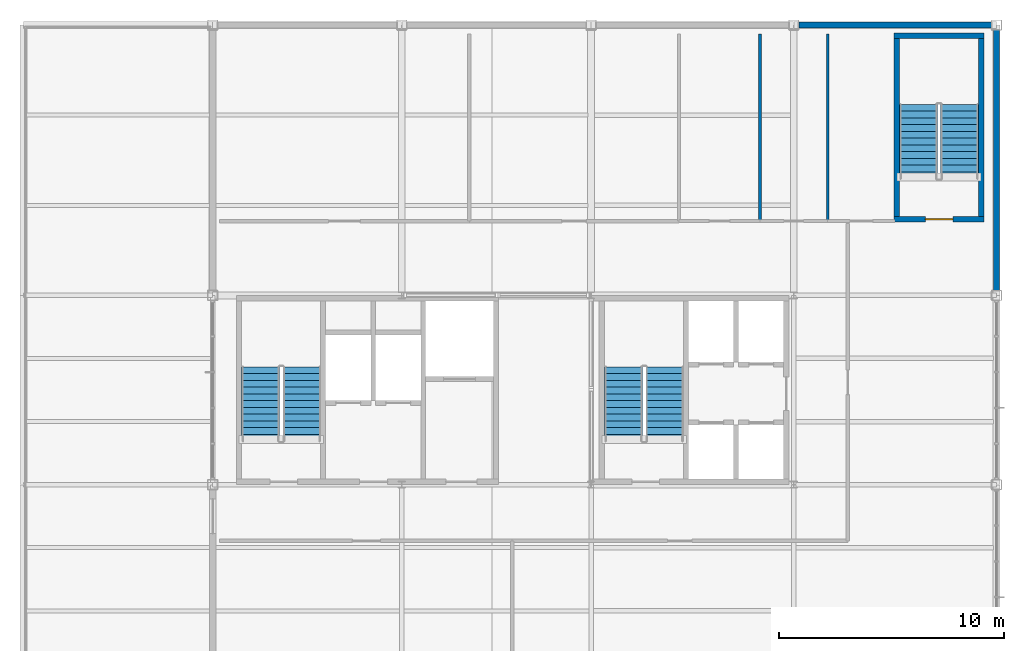
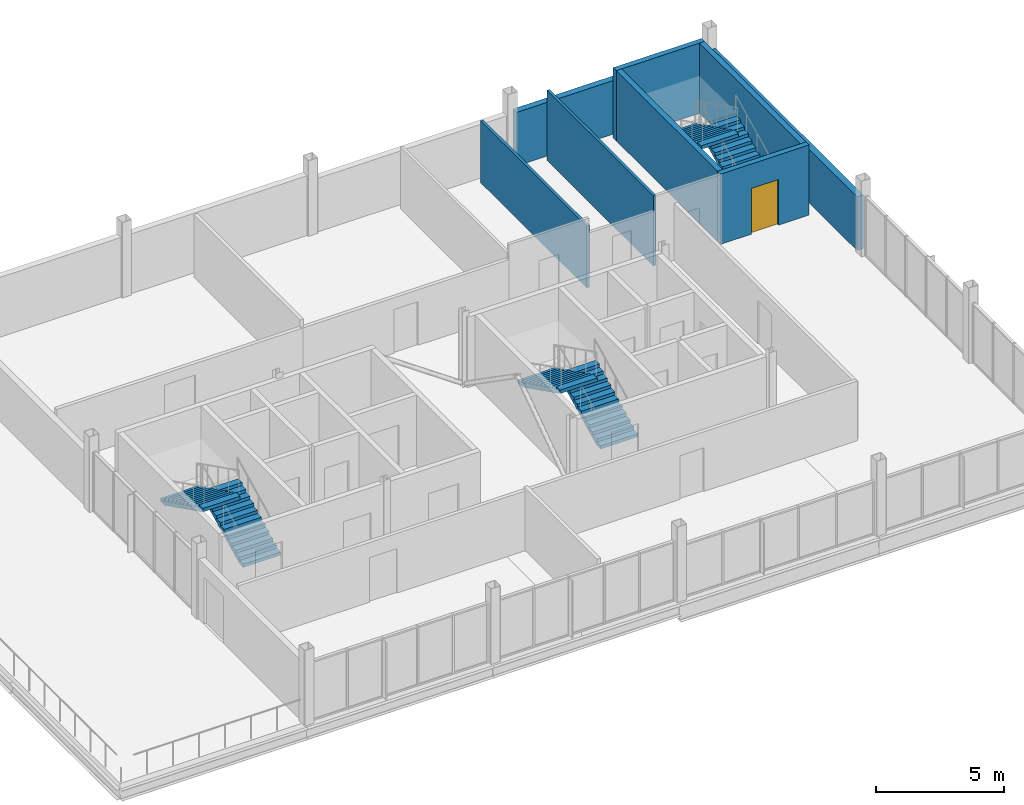
# One storey, part 12 of 14: 8 walls, 6 stair flights, 1 door, 1 opening, 3 elements without a shape of their own.
"""IFC4 building model written with IfcOpenShell, lengths in metres."""

from ifc_helpers import new_model, si_unit, direction, frame, frame_2d, origin, place, context, subcontext, project, spatial, polyline, rectangle, outline, extrude, material, layer, layer_set, type_object, element, fill, aggregate, save


model = new_model("IFC4")

# Units and contexts
model_context = context("Model", 3, precision=1e-05, world=origin(), true_north=direction((0.0, 1.0)))
body_context = subcontext(model_context, "Body", "Model", "MODEL_VIEW")
ifc_project = project(units=[si_unit("LENGTHUNIT", "METRE"), si_unit("AREAUNIT", "SQUARE_METRE"), si_unit("VOLUMEUNIT", "CUBIC_METRE"), si_unit("PLANEANGLEUNIT", "RADIAN"), si_unit("MASSUNIT", "GRAM", prefix="KILO")], contexts=[model_context])

# Site, building, storey
site_placement = place(None, origin())
site = spatial("IfcSite", under=ifc_project, at=site_placement, CompositionType="ELEMENT")
building_placement = place(site_placement, origin())
building = spatial("IfcBuilding", under=site, at=building_placement, Name="Yukiwa Park Conservatory and Herbarium", CompositionType="ELEMENT")
storey_placement = place(building_placement, frame((0.0, 0.0, 50.39990234375)))
storey = spatial("IfcBuildingStorey", under=building, at=storey_placement, Name="L13", CompositionType="ELEMENT", Elevation=50.39990234375)

# Wall, opening, door
ifc_material_1 = material(Name="Concrete C50", Category="concrete")
ifc_layer_1 = layer(ifc_material_1, 0.239990234375)
ifc_layer_set_1 = layer_set([ifc_layer_1], Name="Concrete C50")
wall_type_1 = type_object("IfcWallType", Name="WL-CORE-RC240", PredefinedType="SHEAR", material=ifc_layer_set_1)
wall_1_placement = place(storey_placement, frame((163.449951171875, 106.580078125, 0.0), z_axis=(0.0, 0.0, 1.0), x_axis=(1.0, 0.0, 0.0)))
wall_1 = element("IfcWall", 1, at=wall_1_placement, inside=storey, type_object=wall_type_1, Name="L13 core shear wall 766", PredefinedType="SHEAR", context=body_context, shape_type="SweptSolid", body=[
    extrude(rectangle(XDim=3.989990234375, YDim=0.239990234375, at=frame_2d((1.9951171875, 0.0))), origin(), (0.0, 0.0, 1.0), 3.34619140625),
])
opening_placement = place(wall_1_placement, frame((1.39501953125, 0.0, 0.0)))
opening = element("IfcOpeningElement", 2, at=opening_placement, cuts=wall_1, Name="Opening SD-01", PredefinedType="OPENING", context=body_context, shape_type="SweptSolid", body=[
    extrude(rectangle(XDim=1.219970703125, YDim=2.179931640625, at=frame_2d((0.60986328125, 1.08984375))), frame((0.0, 0.1298828125, 0.0), z_axis=(0.0, -1.0, 0.0), x_axis=(1.0, 0.0, 0.0)), (0.0, 0.0, 1.0), 0.260009765625),
])
ifc_material_2 = material(Name="Steel Q235B", Category="steel")
door_type = type_object("IfcDoorType", Name="DR-STAIR-FD90-1200", OperationType="SINGLE_SWING_LEFT", PredefinedType="DOOR", material=ifc_material_2)
door_placement = place(opening_placement, origin())
door = element("IfcDoor", 3, at=door_placement, inside=storey, type_object=door_type, Name="L13 Stairwell ST-T3 fire door", OperationType="SINGLE_SWING_LEFT", OverallHeight=2.179931640625, OverallWidth=1.219970703125, PredefinedType="DOOR", context=body_context, shape_type="SweptSolid", body=[
    extrude(rectangle(XDim=1.219970703125, YDim=2.179931640625, at=frame_2d((0.60986328125, 1.08984375))), frame((0.0, 0.02490234375, 0.0), z_axis=(0.0, -1.0, 0.0), x_axis=(1.0, 0.0, 0.0)), (0.0, 0.0, 1.0), 0.050048828125),
])
fill(opening, door)

# Walls
wall_2_placement = place(storey_placement, frame((163.449951171875, 114.719970703125, 0.0), z_axis=(0.0, 0.0, 1.0), x_axis=(1.0, 0.0, 0.0)))
element("IfcWall", 4, at=wall_2_placement, inside=storey, type_object=wall_type_1, Name="L13 core shear wall 767", PredefinedType="SHEAR", context=body_context, shape_type="SweptSolid", body=[
    extrude(rectangle(XDim=3.989990234375, YDim=0.239990234375, at=frame_2d((1.9951171875, 0.0))), origin(), (0.0, 0.0, 1.0), 3.34619140625),
])
for number, where, z_axis, x_axis, name in (
    (5, (163.570068359375, 106.699951171875, 0.0), (0.0, 0.0, 1.0), (0.0, 1.0, 0.0), "L13 core shear wall 768"),
    (6, (167.320068359375, 106.699951171875, 0.0), (0.0, 0.0, 1.0), (0.0, 1.0, 0.0), "L13 core shear wall 769"),
):
    element("IfcWall", number, at=place(storey_placement, frame(where, z_axis=z_axis, x_axis=x_axis)), inside=storey, type_object=wall_type_1, Name=name, PredefinedType="SHEAR", context=body_context, shape_type="SweptSolid", body=[
        extrude(rectangle(XDim=7.900146484375, YDim=0.239990234375, at=frame_2d((3.9501953125, 0.0))), origin(), (0.0, 0.0, 1.0), 3.34619140625),
    ])
ifc_material_3 = material(Name="Pale Granite Cladding", Category="masonry")
ifc_layer_2 = layer(ifc_material_3, 0.280029296875)
ifc_layer_set_2 = layer_set([ifc_layer_2], Name="Pale Granite Cladding")
wall_type_2 = type_object("IfcWallType", Name="WL-EXT-GRAN-280", PredefinedType="SOLIDWALL", material=ifc_layer_set_2)
wall_3_placement = place(storey_placement, frame((168.0, 103.425048828125, 0.0), z_axis=(0.0, 0.0, 1.0), x_axis=(0.0, 1.0, 0.0)))
element("IfcWall", 7, at=wall_3_placement, inside=storey, type_object=wall_type_2, Name="L13 exterior envelope wall 381", PredefinedType="SOLIDWALL", context=body_context, shape_type="SweptSolid", body=[
    extrude(rectangle(XDim=11.550048828125, YDim=0.280029296875, at=frame_2d((5.77490234375, 0.0))), origin(), (0.0, 0.0, 1.0), 2.55419921875),
])
wall_4_placement = place(storey_placement, frame((167.77490234375, 115.199951171875, 0.0), z_axis=(0.0, 0.0, 1.0), x_axis=(-1.0, 0.0, 0.0)))
element("IfcWall", 8, at=wall_4_placement, inside=storey, type_object=wall_type_2, Name="L13 exterior envelope wall 382", PredefinedType="SOLIDWALL", context=body_context, shape_type="SweptSolid", body=[
    extrude(rectangle(XDim=8.5498046875, YDim=0.280029296875, at=frame_2d((4.27490234375, 0.0))), origin(), (0.0, 0.0, 1.0), 2.55419921875),
])
ifc_material_4 = material(Name="Gypsum Board Partition", Category="gypsum")
ifc_layer_3 = layer(ifc_material_4, 0.1201171875)
ifc_layer_set_3 = layer_set([ifc_layer_3], Name="Gypsum Board Partition")
wall_type_3 = type_object("IfcWallType", Name="WL-PART-WET-150", PredefinedType="PARTITIONING", material=ifc_layer_set_3)
wall_5_placement = place(storey_placement, frame((157.5, 106.5, 0.0), z_axis=(0.0, 0.0, 1.0), x_axis=(0.0, 1.0, 0.0)))
element("IfcWall", 9, at=wall_5_placement, inside=storey, type_object=wall_type_3, Name="L13 interior partition wall 774", PredefinedType="PARTITIONING", context=body_context, shape_type="SweptSolid", body=[
    extrude(rectangle(XDim=8.300048828125, YDim=0.1201171875, at=frame_2d((4.14990234375, 0.0))), origin(), (0.0, 0.0, 1.0), 2.9501953125),
])
wall_6_placement = place(storey_placement, frame((160.5, 106.5, 0.0), z_axis=(0.0, 0.0, 1.0), x_axis=(0.0, 1.0, 0.0)))
element("IfcWall", 10, at=wall_6_placement, inside=storey, type_object=wall_type_3, Name="L13 interior partition wall 775", PredefinedType="PARTITIONING", context=body_context, shape_type="SweptSolid", body=[
    extrude(rectangle(XDim=8.300048828125, YDim=0.1201171875, at=frame_2d((4.14990234375, 0.0))), origin(), (0.0, 0.0, 1.0), 3.34619140625),
])

# Stair, stair flights
ifc_material_5 = material(Name="Concrete C40", Category="concrete")
stair_type_1 = type_object("IfcStairType", Name="ST-DOGLEG-ST-T1", PredefinedType="HALF_TURN_STAIR", material=ifc_material_5)
stair_1_placement = place(storey_placement, origin())
stair_1 = element("IfcStair", 11, at=stair_1_placement, inside=storey, type_object=stair_type_1, Name="L13 Protected Smoke-Proof Stair ST-T1", PredefinedType="HALF_TURN_STAIR")
ifc_material_6 = material(Name="Concrete C40", Category="concrete")
stair_flight_type = type_object("IfcStairFlightType", Name="STF-RC-1680", PredefinedType="STRAIGHT", material=ifc_material_6)
stair_flight_1_placement = place(storey_placement, frame((137.159912109375, 96.72998046875, 0.0), z_axis=(0.0, 0.0, 1.0), x_axis=(0.0, 1.0, 0.0)))
stair_flight_1 = element("IfcStairFlight", 12, at=stair_flight_1_placement, type_object=stair_flight_type, Name="ST-T1 flight 1", NumberOfRisers=12, NumberOfTreads=11, PredefinedType="STRAIGHT", RiserHeight=0.15, TreadLength=0.3, context=body_context, shape_type="SweptSolid", body=[
    extrude(outline(polyline([(0.0, 0.0), (0.0, 0.14990234375), (0.300048828125, 0.14990234375), (0.300048828125, 0.300048828125), (0.60009765625, 0.300048828125), (0.60009765625, 0.449951171875), (0.89990234375, 0.449951171875), (0.89990234375, 0.60009765625), (1.199951171875, 0.60009765625), (1.199951171875, 0.75), (1.5, 0.75), (1.5, 0.89990234375), (1.800048828125, 0.89990234375), (1.800048828125, 1.050048828125), (2.10009765625, 1.050048828125), (2.10009765625, 1.199951171875), (2.39990234375, 1.199951171875), (2.39990234375, 1.35009765625), (2.699951171875, 1.35009765625), (2.699951171875, 1.5), (3.0, 1.5), (3.0, 1.64990234375), (3.300048828125, 1.64990234375), (3.300048828125, 1.800048828125), (3.300048828125, 1.482421875), (0.335205078125, 0.0), (0.0, 0.0)])), frame((0.0, 0.83984375, 0.0), z_axis=(0.0, -1.0, 0.0), x_axis=(1.0, 0.0, 0.0)), (0.0, 0.0, 1.0), 1.679931640625),
])
stair_flight_2_placement = place(storey_placement, frame((135.330078125, 100.030029296875, 1.800048828125), z_axis=(0.0, 0.0, 1.0), x_axis=(0.0, -1.0, 0.0)))
stair_flight_2 = element("IfcStairFlight", 13, at=stair_flight_2_placement, type_object=stair_flight_type, Name="ST-T1 flight 2", NumberOfRisers=12, NumberOfTreads=11, PredefinedType="STRAIGHT", RiserHeight=0.15, TreadLength=0.3, context=body_context, shape_type="SweptSolid", body=[
    extrude(outline(polyline([(0.0, 0.0), (0.0, 0.14990234375), (0.300048828125, 0.14990234375), (0.300048828125, 0.300048828125), (0.60009765625, 0.300048828125), (0.60009765625, 0.449951171875), (0.89990234375, 0.449951171875), (0.89990234375, 0.60009765625), (1.199951171875, 0.60009765625), (1.199951171875, 0.75), (1.5, 0.75), (1.5, 0.89990234375), (1.800048828125, 0.89990234375), (1.800048828125, 1.050048828125), (2.10009765625, 1.050048828125), (2.10009765625, 1.199951171875), (2.39990234375, 1.199951171875), (2.39990234375, 1.35009765625), (2.699951171875, 1.35009765625), (2.699951171875, 1.5), (3.0, 1.5), (3.0, 1.64990234375), (3.300048828125, 1.64990234375), (3.300048828125, 1.800048828125), (3.300048828125, 1.482421875), (0.335205078125, 0.0), (0.0, 0.0)])), frame((0.0, 0.83984375, 0.0), z_axis=(0.0, -1.0, 0.0), x_axis=(1.0, 0.0, 0.0)), (0.0, 0.0, 1.0), 1.679931640625),
])
aggregate(stair_1, [stair_flight_1, stair_flight_2])

ifc_material_7 = material(Name="Concrete C40", Category="concrete")
stair_type_2 = type_object("IfcStairType", Name="ST-DOGLEG-ST-T2", PredefinedType="HALF_TURN_STAIR", material=ifc_material_7)
stair_2_placement = place(storey_placement, origin())
stair_2 = element("IfcStair", 14, at=stair_2_placement, inside=storey, type_object=stair_type_2, Name="L13 Protected Smoke-Proof Stair ST-T2", PredefinedType="HALF_TURN_STAIR")
stair_flight_3_placement = place(storey_placement, frame((153.27001953125, 96.72998046875, 0.0), z_axis=(0.0, 0.0, 1.0), x_axis=(0.0, 1.0, 0.0)))
stair_flight_3 = element("IfcStairFlight", 15, at=stair_flight_3_placement, type_object=stair_flight_type, Name="ST-T2 flight 1", NumberOfRisers=12, NumberOfTreads=11, PredefinedType="STRAIGHT", RiserHeight=0.15, TreadLength=0.3, context=body_context, shape_type="SweptSolid", body=[
    extrude(outline(polyline([(0.0, 0.0), (0.0, 0.14990234375), (0.300048828125, 0.14990234375), (0.300048828125, 0.300048828125), (0.60009765625, 0.300048828125), (0.60009765625, 0.449951171875), (0.89990234375, 0.449951171875), (0.89990234375, 0.60009765625), (1.199951171875, 0.60009765625), (1.199951171875, 0.75), (1.5, 0.75), (1.5, 0.89990234375), (1.800048828125, 0.89990234375), (1.800048828125, 1.050048828125), (2.10009765625, 1.050048828125), (2.10009765625, 1.199951171875), (2.39990234375, 1.199951171875), (2.39990234375, 1.35009765625), (2.699951171875, 1.35009765625), (2.699951171875, 1.5), (3.0, 1.5), (3.0, 1.64990234375), (3.300048828125, 1.64990234375), (3.300048828125, 1.800048828125), (3.300048828125, 1.482421875), (0.335205078125, 0.0), (0.0, 0.0)])), frame((0.0, 0.83984375, 0.0), z_axis=(0.0, -1.0, 0.0), x_axis=(1.0, 0.0, 0.0)), (0.0, 0.0, 1.0), 1.679931640625),
])
stair_flight_4_placement = place(storey_placement, frame((151.43994140625, 100.030029296875, 1.800048828125), z_axis=(0.0, 0.0, 1.0), x_axis=(0.0, -1.0, 0.0)))
stair_flight_4 = element("IfcStairFlight", 16, at=stair_flight_4_placement, type_object=stair_flight_type, Name="ST-T2 flight 2", NumberOfRisers=12, NumberOfTreads=11, PredefinedType="STRAIGHT", RiserHeight=0.15, TreadLength=0.3, context=body_context, shape_type="SweptSolid", body=[
    extrude(outline(polyline([(0.0, 0.0), (0.0, 0.14990234375), (0.300048828125, 0.14990234375), (0.300048828125, 0.300048828125), (0.60009765625, 0.300048828125), (0.60009765625, 0.449951171875), (0.89990234375, 0.449951171875), (0.89990234375, 0.60009765625), (1.199951171875, 0.60009765625), (1.199951171875, 0.75), (1.5, 0.75), (1.5, 0.89990234375), (1.800048828125, 0.89990234375), (1.800048828125, 1.050048828125), (2.10009765625, 1.050048828125), (2.10009765625, 1.199951171875), (2.39990234375, 1.199951171875), (2.39990234375, 1.35009765625), (2.699951171875, 1.35009765625), (2.699951171875, 1.5), (3.0, 1.5), (3.0, 1.64990234375), (3.300048828125, 1.64990234375), (3.300048828125, 1.800048828125), (3.300048828125, 1.482421875), (0.335205078125, 0.0), (0.0, 0.0)])), frame((0.0, 0.83984375, 0.0), z_axis=(0.0, -1.0, 0.0), x_axis=(1.0, 0.0, 0.0)), (0.0, 0.0, 1.0), 1.679931640625),
])
aggregate(stair_2, [stair_flight_3, stair_flight_4])

ifc_material_8 = material(Name="Concrete C40", Category="concrete")
stair_type_3 = type_object("IfcStairType", Name="ST-DOGLEG-ST-T3", PredefinedType="HALF_TURN_STAIR", material=ifc_material_8)
stair_3_placement = place(storey_placement, origin())
stair_3 = element("IfcStair", 17, at=stair_3_placement, inside=storey, type_object=stair_type_3, Name="L13 Protected Smoke-Proof Stair ST-T3", PredefinedType="HALF_TURN_STAIR")
stair_flight_5_placement = place(storey_placement, frame((166.360107421875, 108.3798828125, 0.0), z_axis=(0.0, 0.0, 1.0), x_axis=(0.0, 1.0, 0.0)))
stair_flight_5 = element("IfcStairFlight", 18, at=stair_flight_5_placement, type_object=stair_flight_type, Name="ST-T3 flight 1", NumberOfRisers=12, NumberOfTreads=11, PredefinedType="STRAIGHT", RiserHeight=0.15, TreadLength=0.3, context=body_context, shape_type="SweptSolid", body=[
    extrude(outline(polyline([(0.0, 0.0), (0.0, 0.14990234375), (0.300048828125, 0.14990234375), (0.300048828125, 0.300048828125), (0.60009765625, 0.300048828125), (0.60009765625, 0.449951171875), (0.89990234375, 0.449951171875), (0.89990234375, 0.60009765625), (1.199951171875, 0.60009765625), (1.199951171875, 0.75), (1.5, 0.75), (1.5, 0.89990234375), (1.800048828125, 0.89990234375), (1.800048828125, 1.050048828125), (2.10009765625, 1.050048828125), (2.10009765625, 1.199951171875), (2.39990234375, 1.199951171875), (2.39990234375, 1.35009765625), (2.699951171875, 1.35009765625), (2.699951171875, 1.5), (3.0, 1.5), (3.0, 1.64990234375), (3.300048828125, 1.64990234375), (3.300048828125, 1.800048828125), (3.300048828125, 1.482421875), (0.335205078125, 0.0), (0.0, 0.0)])), frame((0.0, 0.83984375, 0.0), z_axis=(0.0, -1.0, 0.0), x_axis=(1.0, 0.0, 0.0)), (0.0, 0.0, 1.0), 1.679931640625),
])
stair_flight_6_placement = place(storey_placement, frame((164.530029296875, 111.679931640625, 1.800048828125), z_axis=(0.0, 0.0, 1.0), x_axis=(0.0, -1.0, 0.0)))
stair_flight_6 = element("IfcStairFlight", 19, at=stair_flight_6_placement, type_object=stair_flight_type, Name="ST-T3 flight 2", NumberOfRisers=12, NumberOfTreads=11, PredefinedType="STRAIGHT", RiserHeight=0.15, TreadLength=0.3, context=body_context, shape_type="SweptSolid", body=[
    extrude(outline(polyline([(0.0, 0.0), (0.0, 0.14990234375), (0.300048828125, 0.14990234375), (0.300048828125, 0.300048828125), (0.60009765625, 0.300048828125), (0.60009765625, 0.449951171875), (0.89990234375, 0.449951171875), (0.89990234375, 0.60009765625), (1.199951171875, 0.60009765625), (1.199951171875, 0.75), (1.5, 0.75), (1.5, 0.89990234375), (1.800048828125, 0.89990234375), (1.800048828125, 1.050048828125), (2.10009765625, 1.050048828125), (2.10009765625, 1.199951171875), (2.39990234375, 1.199951171875), (2.39990234375, 1.35009765625), (2.699951171875, 1.35009765625), (2.699951171875, 1.5), (3.0, 1.5), (3.0, 1.64990234375), (3.300048828125, 1.64990234375), (3.300048828125, 1.800048828125), (3.300048828125, 1.482421875), (0.335205078125, 0.0), (0.0, 0.0)])), frame((0.0, 0.83984375, 0.0), z_axis=(0.0, -1.0, 0.0), x_axis=(1.0, 0.0, 0.0)), (0.0, 0.0, 1.0), 1.679931640625),
])
aggregate(stair_3, [stair_flight_5, stair_flight_6])

save(model, "model.ifc")
